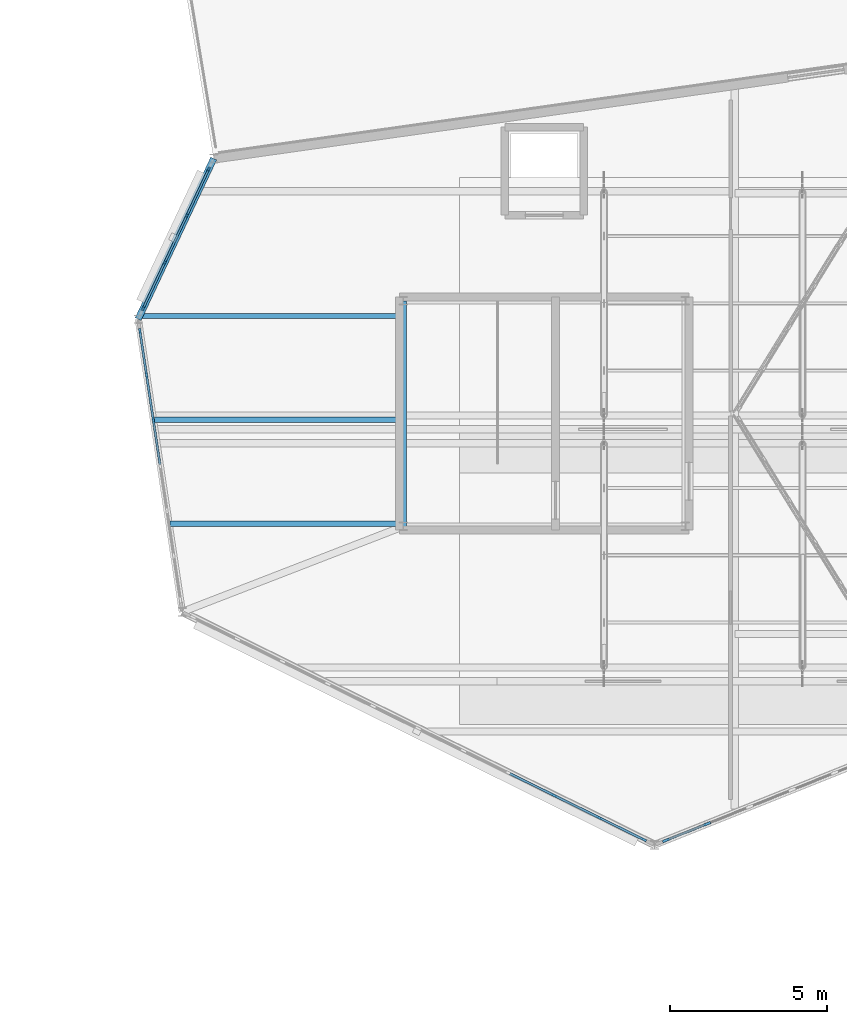
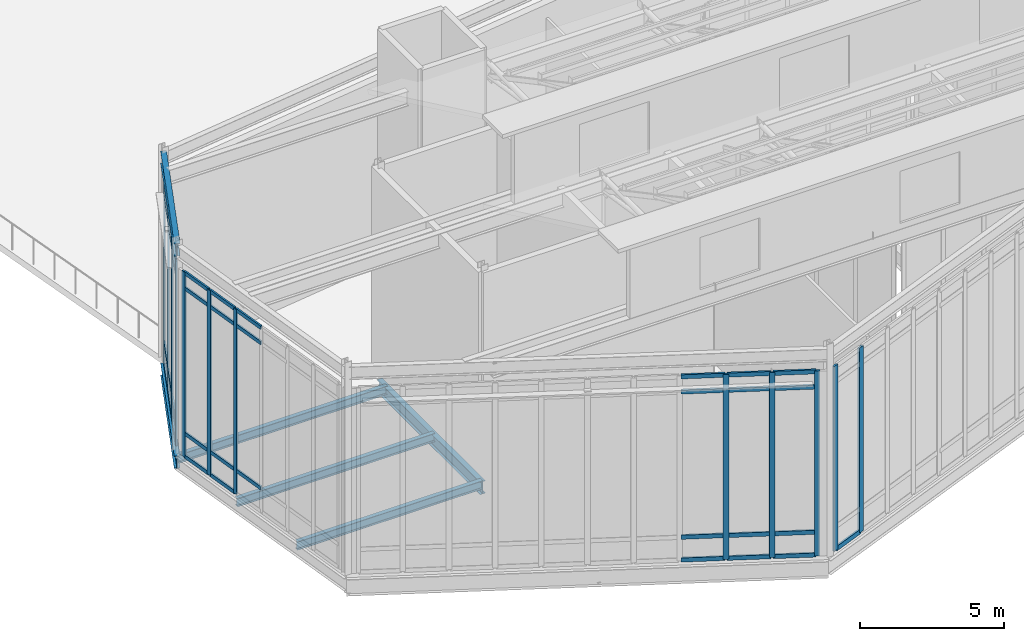
# One storey, part 10 of 66: 48 members, 6 beams, 4 elements without a shape of their own.
"""IFC4 building model written with IfcOpenShell, lengths in metres."""

from ifc_helpers import new_model, si_unit, direction, frame, origin, origin_2d, place, context, subcontext, project, spatial, rectangle, i_section, extrude, material, material_profile, profile_set, type_object, element, aggregate, save


model = new_model("IFC4")

# Units and contexts
model_context = context("Model", 3, precision=1e-05, world=origin(), true_north=direction((0.0, 1.0)))
body_context = subcontext(model_context, "Body", "Model", "MODEL_VIEW")
ifc_project = project(units=[si_unit("LENGTHUNIT", "METRE"), si_unit("AREAUNIT", "SQUARE_METRE"), si_unit("VOLUMEUNIT", "CUBIC_METRE"), si_unit("PLANEANGLEUNIT", "RADIAN"), si_unit("MASSUNIT", "GRAM", prefix="KILO")], contexts=[model_context])

# Site, building, storey
site_placement = place(None, origin())
site = spatial("IfcSite", under=ifc_project, at=site_placement, CompositionType="ELEMENT")
building_placement = place(site_placement, origin())
building = spatial("IfcBuilding", under=site, at=building_placement, Name="Tameran Prism Museum", CompositionType="ELEMENT")
storey_placement = place(building_placement, frame((0.0, 0.0, 19.800048828125)))
storey = spatial("IfcBuildingStorey", under=building, at=storey_placement, Name="L04", CompositionType="ELEMENT", Elevation=19.800048828125)

# Beams
ifc_material_1 = material(Name="Steel Grade 300PLUS (300 MPa)", Category="steel")
ifc_material_profile_1 = material_profile(ifc_material_1, i_section(OverallWidth=0.172119140625, OverallDepth=0.35888671875, WebThickness=0.008056640625, FlangeThickness=0.012939453125, FilletRadius=0.011474609375, at=origin_2d()))
ifc_profile_set_1 = profile_set([ifc_material_profile_1])
beam_type_1 = type_object("IfcBeamType", Name="BM-J360A", PredefinedType="JOIST", material=ifc_profile_set_1)
beam_1_placement = place(storey_placement, frame((50.618896484375, 33.0, -0.379638671875), z_axis=(1.0, 0.0, 0.0), x_axis=(0.0, 1.0, 0.0)))
element("IfcBeam", 1, at=beam_1_placement, inside=storey, type_object=beam_type_1, Name="Floor Beam BM-1230", PredefinedType="JOIST", context=body_context, shape_type="SweptSolid", body=[
    extrude(i_section(OverallWidth=0.172119140625, OverallDepth=0.35888671875, WebThickness=0.008056640625, FlangeThickness=0.012939453125, FilletRadius=0.011474609375, at=origin_2d()), origin(), (0.0, 0.0, 1.0), 7.401123046875),
])
beam_2_placement = place(storey_placement, frame((49.69091796875, 39.60009765625, -0.379638671875), z_axis=(1.0, 0.0, 0.0), x_axis=(0.0, 1.0, 0.0)))
element("IfcBeam", 2, at=beam_2_placement, inside=storey, type_object=beam_type_1, Name="Floor Beam BM-1232", PredefinedType="JOIST", context=body_context, shape_type="SweptSolid", body=[
    extrude(i_section(OverallWidth=0.172119140625, OverallDepth=0.35888671875, WebThickness=0.008056640625, FlangeThickness=0.012939453125, FilletRadius=0.011474609375, at=origin_2d()), origin(), (0.0, 0.0, 1.0), 8.3291015625),
])
ifc_material_2 = material(Name="Steel Grade 300PLUS (300 MPa)", Category="steel")
ifc_material_profile_2 = material_profile(ifc_material_2, i_section(OverallWidth=0.1708984375, OverallDepth=0.35595703125, WebThickness=0.00732421875, FlangeThickness=0.011474609375, FilletRadius=0.011474609375, at=origin_2d()))
ifc_profile_set_2 = profile_set([ifc_material_profile_2])
beam_type_2 = type_object("IfcBeamType", Name="BM-J360B", PredefinedType="JOIST", material=ifc_profile_set_2)
beam_3_placement = place(storey_placement, frame((50.1220703125, 36.300048828125, -0.3779296875), z_axis=(1.0, 0.0, 0.0), x_axis=(0.0, 1.0, 0.0)))
element("IfcBeam", 3, at=beam_3_placement, inside=storey, type_object=beam_type_2, Name="Floor Beam BM-1231", PredefinedType="JOIST", context=body_context, shape_type="SweptSolid", body=[
    extrude(i_section(OverallWidth=0.1708984375, OverallDepth=0.35595703125, WebThickness=0.00732421875, FlangeThickness=0.011474609375, FilletRadius=0.011474609375, at=origin_2d()), origin(), (0.0, 0.0, 1.0), 7.89794921875),
])
ifc_material_3 = material(Name="Steel Grade 300PLUS (300 MPa)", Category="steel")
ifc_material_profile_3 = material_profile(ifc_material_3, i_section(OverallWidth=0.208984375, OverallDepth=0.528076171875, WebThickness=0.009521484375, FlangeThickness=0.01318359375, FilletRadius=0.013916015625, at=origin_2d()))
ifc_profile_set_3 = profile_set([ifc_material_profile_3])
beam_type_3 = type_object("IfcBeamType", Name="BM-SP530B", PredefinedType="SPANDREL", material=ifc_profile_set_3)
for number, where, z_axis, x_axis, name in (
    (4, (52.0, 44.60009765625, -0.464111328125), (-0.425776176805, -0.904828518154, 0.0), (0.904828518154, -0.425776176805, 0.0), "Perimeter Spandrel SP-1160"),
    (5, (52.0, 44.60009765625, 8.505859375), (-0.425776176805, -0.904828518154, 0.0), (0.904828518154, -0.425776176805, 0.0), "Roof Ring Beam RB-1166"),
):
    element("IfcBeam", number, at=place(storey_placement, frame(where, z_axis=z_axis, x_axis=x_axis)), inside=storey, type_object=beam_type_3, Name=name, PredefinedType="SPANDREL", context=body_context, shape_type="SweptSolid", body=[
        extrude(i_section(OverallWidth=0.208984375, OverallDepth=0.528076171875, WebThickness=0.009521484375, FlangeThickness=0.01318359375, FilletRadius=0.013916015625, at=origin_2d()), origin(), (0.0, 0.0, 1.0), 5.636474609375),
    ])
beam_4_placement = place(storey_placement, frame((58.02001953125, 40.080078125, -0.504150390625), z_axis=(0.0, -1.0, 0.0), x_axis=(1.0, 0.0, 0.0)))
element("IfcBeam", 6, at=beam_4_placement, inside=storey, type_object=beam_type_3, Name="Core Ring Beam CTB-1192", PredefinedType="SPANDREL", context=body_context, shape_type="SweptSolid", body=[
    extrude(i_section(OverallWidth=0.208984375, OverallDepth=0.528076171875, WebThickness=0.009521484375, FlangeThickness=0.01318359375, FilletRadius=0.013916015625, at=origin_2d()), origin(), (0.0, 0.0, 1.0), 7.16015625),
])

# Curtain wall, members
ifc_material_4 = material(Name="Anodised Aluminium 6063-T6 and Cyclone Solar Glass", Category="aluminium")
curtain_wall_type_1 = type_object("IfcCurtainWallType", Name="CW-FAC-494x782", PredefinedType="USERDEFINED", material=ifc_material_4)
curtain_wall_1_placement = place(storey_placement, origin())
curtain_wall_1 = element("IfcCurtainWall", 7, at=curtain_wall_1_placement, inside=storey, type_object=curtain_wall_type_1, Name="Unitised Curtain Wall CW-159", ObjectType="UNITISED CURTAIN WALL", PredefinedType="USERDEFINED")
ifc_material_5 = material(Name="Anodised Aluminium Alloy 6063-T6", Category="aluminium")
ifc_material_profile_4 = material_profile(ifc_material_5, rectangle(XDim=0.06494140625, YDim=0.159912109375, at=origin_2d()))
ifc_profile_set_4 = profile_set([ifc_material_profile_4])
member_type_1 = type_object("IfcMemberType", Name="CW-MUL-A", PredefinedType="MULLION", material=ifc_profile_set_4)
member_1_placement = place(storey_placement, frame((49.762939453125, 39.846435546875, 0.0), z_axis=(0.0, 0.0, 1.0), x_axis=(-0.904791151918, 0.425855575765, 0.0)))
member_1 = element("IfcMember", 8, at=member_1_placement, type_object=member_type_1, Name="CW-159 mullion 1", PredefinedType="MULLION", context=body_context, shape_type="SweptSolid", body=[
    extrude(rectangle(XDim=0.06494140625, YDim=0.159912109375, at=origin_2d()), origin(), (0.0, 0.0, 1.0), 7.820068359375),
])
member_2_placement = place(storey_placement, frame((50.44970703125, 41.3056640625, 0.0), z_axis=(0.0, 0.0, 1.0), x_axis=(-0.904791151918, 0.425855575765, 0.0)))
member_2 = element("IfcMember", 9, at=member_2_placement, type_object=member_type_1, Name="CW-159 mullion 2", PredefinedType="MULLION", context=body_context, shape_type="SweptSolid", body=[
    extrude(rectangle(XDim=0.06494140625, YDim=0.159912109375, at=origin_2d()), origin(), (0.0, 0.0, 1.0), 7.820068359375),
])
member_3_placement = place(storey_placement, frame((51.150390625, 42.79443359375, 0.0), z_axis=(0.0, 0.0, 1.0), x_axis=(-0.904791151918, 0.425855575765, 0.0)))
member_3 = element("IfcMember", 10, at=member_3_placement, type_object=member_type_1, Name="CW-159 mullion 3", PredefinedType="MULLION", context=body_context, shape_type="SweptSolid", body=[
    extrude(rectangle(XDim=0.06494140625, YDim=0.159912109375, at=origin_2d()), origin(), (0.0, 0.0, 1.0), 7.820068359375),
])
member_4_placement = place(storey_placement, frame((51.837158203125, 44.253662109375, 0.0), z_axis=(0.0, 0.0, 1.0), x_axis=(-0.904791151918, 0.425855575765, 0.0)))
member_4 = element("IfcMember", 11, at=member_4_placement, type_object=member_type_1, Name="CW-159 mullion 4", PredefinedType="MULLION", context=body_context, shape_type="SweptSolid", body=[
    extrude(rectangle(XDim=0.06494140625, YDim=0.159912109375, at=origin_2d()), origin(), (0.0, 0.0, 1.0), 7.820068359375),
])

ifc_material_6 = material(Name="Anodised Aluminium 6063-T6 and Cyclone Solar Glass", Category="aluminium")
curtain_wall_type_2 = type_object("IfcCurtainWallType", Name="CW-FAC-870x782", PredefinedType="USERDEFINED", material=ifc_material_6)
curtain_wall_2_placement = place(storey_placement, origin())
curtain_wall_2 = element("IfcCurtainWall", 12, at=curtain_wall_2_placement, inside=storey, type_object=curtain_wall_type_2, Name="Unitised Curtain Wall CW-156", ObjectType="UNITISED CURTAIN WALL", PredefinedType="USERDEFINED")
ifc_material_7 = material(Name="Anodised Aluminium Alloy 6063-T6", Category="aluminium")
ifc_material_profile_5 = material_profile(ifc_material_7, rectangle(XDim=0.070068359375, YDim=0.179931640625, at=origin_2d()))
ifc_profile_set_5 = profile_set([ifc_material_profile_5])
member_type_2 = type_object("IfcMemberType", Name="CW-MUL-B", PredefinedType="MULLION", material=ifc_profile_set_5)
member_5_placement = place(storey_placement, frame((50.083984375, 36.28466796875, 0.0), z_axis=(0.0, 0.0, 1.0), x_axis=(-0.988855314933, -0.148879703546, 0.0)))
member_5 = element("IfcMember", 13, at=member_5_placement, type_object=member_type_2, Name="CW-156 mullion 5", PredefinedType="MULLION", context=body_context, shape_type="SweptSolid", body=[
    extrude(rectangle(XDim=0.070068359375, YDim=0.179931640625, at=origin_2d()), origin(), (0.0, 0.0, 1.0), 7.820068359375),
])
member_6_placement = place(storey_placement, frame((49.867919921875, 37.71923828125, 0.0), z_axis=(0.0, 0.0, 1.0), x_axis=(-0.988855314933, -0.148879703546, 0.0)))
member_6 = element("IfcMember", 14, at=member_6_placement, type_object=member_type_2, Name="CW-156 mullion 6", PredefinedType="MULLION", context=body_context, shape_type="SweptSolid", body=[
    extrude(rectangle(XDim=0.070068359375, YDim=0.179931640625, at=origin_2d()), origin(), (0.0, 0.0, 1.0), 7.820068359375),
])
member_7_placement = place(storey_placement, frame((49.6572265625, 39.119384765625, 0.0), z_axis=(0.0, 0.0, 1.0), x_axis=(-0.988855314933, -0.148879703546, 0.0)))
member_7 = element("IfcMember", 15, at=member_7_placement, type_object=member_type_2, Name="CW-156 mullion 7", PredefinedType="MULLION", context=body_context, shape_type="SweptSolid", body=[
    extrude(rectangle(XDim=0.070068359375, YDim=0.179931640625, at=origin_2d()), origin(), (0.0, 0.0, 1.0), 7.820068359375),
])

ifc_material_8 = material(Name="Anodised Aluminium 6063-T6 and Cyclone Solar Glass", Category="aluminium")
curtain_wall_type_3 = type_object("IfcCurtainWallType", Name="CW-FAC-1603x782", PredefinedType="USERDEFINED", material=ifc_material_8)
curtain_wall_3_placement = place(storey_placement, origin())
curtain_wall_3 = element("IfcCurtainWall", 16, at=curtain_wall_3_placement, inside=storey, type_object=curtain_wall_type_3, Name="Unitised Curtain Wall CW-157", ObjectType="UNITISED CURTAIN WALL", PredefinedType="USERDEFINED")
ifc_material_9 = material(Name="Anodised Aluminium Alloy 6063-T6", Category="aluminium")
ifc_material_profile_6 = material_profile(ifc_material_9, rectangle(XDim=0.074951171875, YDim=0.199951171875, at=origin_2d()))
ifc_profile_set_6 = profile_set([ifc_material_profile_6])
member_type_3 = type_object("IfcMemberType", Name="CW-MUL-C", PredefinedType="MULLION", material=ifc_profile_set_6)
member_8_placement = place(storey_placement, frame((65.65234375, 22.9716796875, 0.0), z_axis=(0.0, 0.0, 1.0), x_axis=(-0.44241486846, -0.896810506275, 0.0)))
member_8 = element("IfcMember", 17, at=member_8_placement, type_object=member_type_3, Name="CW-157 mullion 1", PredefinedType="MULLION", context=body_context, shape_type="SweptSolid", body=[
    extrude(rectangle(XDim=0.074951171875, YDim=0.199951171875, at=origin_2d()), origin(), (0.0, 0.0, 1.0), 7.820068359375),
])
member_9_placement = place(storey_placement, frame((64.248779296875, 23.6640625, 0.0), z_axis=(0.0, 0.0, 1.0), x_axis=(-0.44241486846, -0.896810506275, 0.0)))
member_9 = element("IfcMember", 18, at=member_9_placement, type_object=member_type_3, Name="CW-157 mullion 2", PredefinedType="MULLION", context=body_context, shape_type="SweptSolid", body=[
    extrude(rectangle(XDim=0.074951171875, YDim=0.199951171875, at=origin_2d()), origin(), (0.0, 0.0, 1.0), 7.820068359375),
])
member_10_placement = place(storey_placement, frame((62.8115234375, 24.373046875, 0.0), z_axis=(0.0, 0.0, 1.0), x_axis=(-0.44241486846, -0.896810506275, 0.0)))
member_10 = element("IfcMember", 19, at=member_10_placement, type_object=member_type_3, Name="CW-157 mullion 3", PredefinedType="MULLION", context=body_context, shape_type="SweptSolid", body=[
    extrude(rectangle(XDim=0.074951171875, YDim=0.199951171875, at=origin_2d()), origin(), (0.0, 0.0, 1.0), 7.820068359375),
])

ifc_material_10 = material(Name="Anodised Aluminium 6063-T6 and Cyclone Solar Glass", Category="aluminium")
curtain_wall_type_4 = type_object("IfcCurtainWallType", Name="CW-FAC-1163x782", PredefinedType="USERDEFINED", material=ifc_material_10)
curtain_wall_4_placement = place(storey_placement, origin())
curtain_wall_4 = element("IfcCurtainWall", 20, at=curtain_wall_4_placement, inside=storey, type_object=curtain_wall_type_4, Name="Unitised Curtain Wall CW-158", ObjectType="UNITISED CURTAIN WALL", PredefinedType="USERDEFINED")
ifc_material_11 = material(Name="Anodised Aluminium Alloy 6063-T6", Category="aluminium")
ifc_material_profile_7 = material_profile(ifc_material_11, rectangle(XDim=0.080078125, YDim=0.219970703125, at=origin_2d()))
ifc_profile_set_7 = profile_set([ifc_material_profile_7])
member_type_4 = type_object("IfcMemberType", Name="CW-MUL-D", PredefinedType="MULLION", material=ifc_profile_set_7)
member_11_placement = place(storey_placement, frame((67.67431640625, 23.4697265625, 0.0), z_axis=(0.0, 0.0, 1.0), x_axis=(0.371420337114, -0.928464826032, 0.0)))
member_11 = element("IfcMember", 21, at=member_11_placement, type_object=member_type_4, Name="CW-158 mullion 8", PredefinedType="MULLION", context=body_context, shape_type="SweptSolid", body=[
    extrude(rectangle(XDim=0.080078125, YDim=0.219970703125, at=origin_2d()), origin(), (0.0, 0.0, 1.0), 7.820068359375),
])
member_12_placement = place(storey_placement, frame((66.362060546875, 22.94482421875, 0.0), z_axis=(0.0, 0.0, 1.0), x_axis=(0.371420337114, -0.928464826032, 0.0)))
member_12 = element("IfcMember", 22, at=member_12_placement, type_object=member_type_4, Name="CW-158 mullion 9", PredefinedType="MULLION", context=body_context, shape_type="SweptSolid", body=[
    extrude(rectangle(XDim=0.080078125, YDim=0.219970703125, at=origin_2d()), origin(), (0.0, 0.0, 1.0), 7.820068359375),
])

# Member
ifc_material_12 = material(Name="Anodised Aluminium Alloy 6063-T6", Category="aluminium")
ifc_material_profile_8 = material_profile(ifc_material_12, rectangle(XDim=0.06494140625, YDim=0.139892578125, at=origin_2d()))
ifc_profile_set_8 = profile_set([ifc_material_profile_8])
member_type_5 = type_object("IfcMemberType", Name="CW-TRN-A", PredefinedType="USERDEFINED", material=ifc_profile_set_8)
member_13_placement = place(storey_placement, frame((49.776611328125, 39.875732421875, 0.032470703125), z_axis=(0.42582741723, 0.904804404684, 0.0), x_axis=(-0.904804404684, 0.42582741723, 0.0)))
member_13 = element("IfcMember", 23, at=member_13_placement, type_object=member_type_5, Name="CW-159 transom 1.1", ObjectType="TRANSOM", PredefinedType="USERDEFINED", context=body_context, shape_type="SweptSolid", body=[
    extrude(rectangle(XDim=0.06494140625, YDim=0.139892578125, at=origin_2d()), origin(), (0.0, 0.0, 1.0), 1.548095703125),
])

member_14_placement = place(storey_placement, frame((49.776611328125, 39.875732421875, 1.0), z_axis=(0.42582741723, 0.904804404684, 0.0), x_axis=(-0.904804404684, 0.42582741723, 0.0)))
member_14 = element("IfcMember", 24, at=member_14_placement, type_object=member_type_5, Name="CW-159 transom 1.2", ObjectType="TRANSOM", PredefinedType="USERDEFINED", context=body_context, shape_type="SweptSolid", body=[
    extrude(rectangle(XDim=0.06494140625, YDim=0.139892578125, at=origin_2d()), origin(), (0.0, 0.0, 1.0), 1.548095703125),
])

member_15_placement = place(storey_placement, frame((49.776611328125, 39.875732421875, 7.139892578125), z_axis=(0.42582741723, 0.904804404684, 0.0), x_axis=(-0.904804404684, 0.42582741723, 0.0)))
member_15 = element("IfcMember", 25, at=member_15_placement, type_object=member_type_5, Name="CW-159 transom 1.3", ObjectType="TRANSOM", PredefinedType="USERDEFINED", context=body_context, shape_type="SweptSolid", body=[
    extrude(rectangle(XDim=0.06494140625, YDim=0.139892578125, at=origin_2d()), origin(), (0.0, 0.0, 1.0), 1.548095703125),
])

member_16_placement = place(storey_placement, frame((49.776611328125, 39.875732421875, 7.787353515625), z_axis=(0.42582741723, 0.904804404684, 0.0), x_axis=(-0.904804404684, 0.42582741723, 0.0)))
member_16 = element("IfcMember", 26, at=member_16_placement, type_object=member_type_5, Name="CW-159 transom 1.4", ObjectType="TRANSOM", PredefinedType="USERDEFINED", context=body_context, shape_type="SweptSolid", body=[
    extrude(rectangle(XDim=0.06494140625, YDim=0.139892578125, at=origin_2d()), origin(), (0.0, 0.0, 1.0), 1.548095703125),
])

member_17_placement = place(storey_placement, frame((50.463623046875, 41.3349609375, 0.032470703125), z_axis=(0.425767276487, 0.904832706235, 0.0), x_axis=(-0.904832706235, 0.425767276487, 0.0)))
member_17 = element("IfcMember", 27, at=member_17_placement, type_object=member_type_5, Name="CW-159 transom 2.1", ObjectType="TRANSOM", PredefinedType="USERDEFINED", context=body_context, shape_type="SweptSolid", body=[
    extrude(rectangle(XDim=0.06494140625, YDim=0.139892578125, at=origin_2d()), origin(), (0.0, 0.0, 1.0), 1.580322265625),
])

member_18_placement = place(storey_placement, frame((50.463623046875, 41.3349609375, 1.0), z_axis=(0.425767276487, 0.904832706235, 0.0), x_axis=(-0.904832706235, 0.425767276487, 0.0)))
member_18 = element("IfcMember", 28, at=member_18_placement, type_object=member_type_5, Name="CW-159 transom 2.2", ObjectType="TRANSOM", PredefinedType="USERDEFINED", context=body_context, shape_type="SweptSolid", body=[
    extrude(rectangle(XDim=0.06494140625, YDim=0.139892578125, at=origin_2d()), origin(), (0.0, 0.0, 1.0), 1.580322265625),
])

member_19_placement = place(storey_placement, frame((50.463623046875, 41.3349609375, 7.139892578125), z_axis=(0.425767276487, 0.904832706235, 0.0), x_axis=(-0.904832706235, 0.425767276487, 0.0)))
member_19 = element("IfcMember", 29, at=member_19_placement, type_object=member_type_5, Name="CW-159 transom 2.3", ObjectType="TRANSOM", PredefinedType="USERDEFINED", context=body_context, shape_type="SweptSolid", body=[
    extrude(rectangle(XDim=0.06494140625, YDim=0.139892578125, at=origin_2d()), origin(), (0.0, 0.0, 1.0), 1.580322265625),
])

member_20_placement = place(storey_placement, frame((50.463623046875, 41.3349609375, 7.787353515625), z_axis=(0.425767276487, 0.904832706235, 0.0), x_axis=(-0.904832706235, 0.425767276487, 0.0)))
member_20 = element("IfcMember", 30, at=member_20_placement, type_object=member_type_5, Name="CW-159 transom 2.4", ObjectType="TRANSOM", PredefinedType="USERDEFINED", context=body_context, shape_type="SweptSolid", body=[
    extrude(rectangle(XDim=0.06494140625, YDim=0.139892578125, at=origin_2d()), origin(), (0.0, 0.0, 1.0), 1.580322265625),
])

member_21_placement = place(storey_placement, frame((51.1640625, 42.82373046875, 0.032470703125), z_axis=(0.425888190596, 0.904775800467, 0.0), x_axis=(-0.904775800467, 0.425888190596, 0.0)))
member_21 = element("IfcMember", 31, at=member_21_placement, type_object=member_type_5, Name="CW-159 transom 3.1", ObjectType="TRANSOM", PredefinedType="USERDEFINED", context=body_context, shape_type="SweptSolid", body=[
    extrude(rectangle(XDim=0.06494140625, YDim=0.139892578125, at=origin_2d()), origin(), (0.0, 0.0, 1.0), 1.5478515625),
])

member_22_placement = place(storey_placement, frame((51.1640625, 42.82373046875, 1.0), z_axis=(0.425888190596, 0.904775800467, 0.0), x_axis=(-0.904775800467, 0.425888190596, 0.0)))
member_22 = element("IfcMember", 32, at=member_22_placement, type_object=member_type_5, Name="CW-159 transom 3.2", ObjectType="TRANSOM", PredefinedType="USERDEFINED", context=body_context, shape_type="SweptSolid", body=[
    extrude(rectangle(XDim=0.06494140625, YDim=0.139892578125, at=origin_2d()), origin(), (0.0, 0.0, 1.0), 1.5478515625),
])

member_23_placement = place(storey_placement, frame((51.1640625, 42.82373046875, 7.139892578125), z_axis=(0.425888190596, 0.904775800467, 0.0), x_axis=(-0.904775800467, 0.425888190596, 0.0)))
member_23 = element("IfcMember", 33, at=member_23_placement, type_object=member_type_5, Name="CW-159 transom 3.3", ObjectType="TRANSOM", PredefinedType="USERDEFINED", context=body_context, shape_type="SweptSolid", body=[
    extrude(rectangle(XDim=0.06494140625, YDim=0.139892578125, at=origin_2d()), origin(), (0.0, 0.0, 1.0), 1.5478515625),
])

member_24_placement = place(storey_placement, frame((51.1640625, 42.82373046875, 7.787353515625), z_axis=(0.425888190596, 0.904775800467, 0.0), x_axis=(-0.904775800467, 0.425888190596, 0.0)))
member_24 = element("IfcMember", 34, at=member_24_placement, type_object=member_type_5, Name="CW-159 transom 3.4", ObjectType="TRANSOM", PredefinedType="USERDEFINED", context=body_context, shape_type="SweptSolid", body=[
    extrude(rectangle(XDim=0.06494140625, YDim=0.139892578125, at=origin_2d()), origin(), (0.0, 0.0, 1.0), 1.5478515625),
])

aggregate(curtain_wall_1, [member_1, member_2, member_3, member_4, member_13, member_14, member_15, member_16, member_17, member_18, member_19, member_20, member_21, member_22, member_23, member_24])

ifc_material_13 = material(Name="Anodised Aluminium Alloy 6063-T6", Category="aluminium")
ifc_material_profile_9 = material_profile(ifc_material_13, rectangle(XDim=0.070068359375, YDim=0.155029296875, at=origin_2d()))
ifc_profile_set_9 = profile_set([ifc_material_profile_9])
member_type_6 = type_object("IfcMemberType", Name="CW-TRN-B", PredefinedType="USERDEFINED", material=ifc_profile_set_9)
member_25_placement = place(storey_placement, frame((50.294677734375, 34.884521484375, 1.0), z_axis=(-0.148867813763, 0.988857104958, 0.0), x_axis=(-0.988857104958, -0.148867813763, 0.0)))
member_25 = element("IfcMember", 35, at=member_25_placement, type_object=member_type_6, Name="CW-156 transom 4.2", ObjectType="TRANSOM", PredefinedType="USERDEFINED", context=body_context, shape_type="SweptSolid", body=[
    extrude(rectangle(XDim=0.070068359375, YDim=0.155029296875, at=origin_2d()), origin(), (0.0, 0.0, 1.0), 1.380859375),
])

member_26_placement = place(storey_placement, frame((50.294677734375, 34.884521484375, 7.139892578125), z_axis=(-0.148867813763, 0.988857104958, 0.0), x_axis=(-0.988857104958, -0.148867813763, 0.0)))
member_26 = element("IfcMember", 36, at=member_26_placement, type_object=member_type_6, Name="CW-156 transom 4.3", ObjectType="TRANSOM", PredefinedType="USERDEFINED", context=body_context, shape_type="SweptSolid", body=[
    extrude(rectangle(XDim=0.070068359375, YDim=0.155029296875, at=origin_2d()), origin(), (0.0, 0.0, 1.0), 1.380859375),
])

member_27_placement = place(storey_placement, frame((50.294677734375, 34.884521484375, 7.784912109375), z_axis=(-0.148867813763, 0.988857104958, 0.0), x_axis=(-0.988857104958, -0.148867813763, 0.0)))
member_27 = element("IfcMember", 37, at=member_27_placement, type_object=member_type_6, Name="CW-156 transom 4.4", ObjectType="TRANSOM", PredefinedType="USERDEFINED", context=body_context, shape_type="SweptSolid", body=[
    extrude(rectangle(XDim=0.070068359375, YDim=0.155029296875, at=origin_2d()), origin(), (0.0, 0.0, 1.0), 1.380859375),
])

member_28_placement = place(storey_placement, frame((50.078857421875, 36.3193359375, 0.034912109375), z_axis=(-0.148867813763, 0.988857104958, 0.0), x_axis=(-0.988857104958, -0.148867813763, 0.0)))
member_28 = element("IfcMember", 38, at=member_28_placement, type_object=member_type_6, Name="CW-156 transom 5.1", ObjectType="TRANSOM", PredefinedType="USERDEFINED", context=body_context, shape_type="SweptSolid", body=[
    extrude(rectangle(XDim=0.070068359375, YDim=0.155029296875, at=origin_2d()), origin(), (0.0, 0.0, 1.0), 1.380859375),
])

member_29_placement = place(storey_placement, frame((50.078857421875, 36.3193359375, 1.0), z_axis=(-0.148867813763, 0.988857104958, 0.0), x_axis=(-0.988857104958, -0.148867813763, 0.0)))
member_29 = element("IfcMember", 39, at=member_29_placement, type_object=member_type_6, Name="CW-156 transom 5.2", ObjectType="TRANSOM", PredefinedType="USERDEFINED", context=body_context, shape_type="SweptSolid", body=[
    extrude(rectangle(XDim=0.070068359375, YDim=0.155029296875, at=origin_2d()), origin(), (0.0, 0.0, 1.0), 1.380859375),
])

member_30_placement = place(storey_placement, frame((50.078857421875, 36.3193359375, 7.139892578125), z_axis=(-0.148867813763, 0.988857104958, 0.0), x_axis=(-0.988857104958, -0.148867813763, 0.0)))
member_30 = element("IfcMember", 40, at=member_30_placement, type_object=member_type_6, Name="CW-156 transom 5.3", ObjectType="TRANSOM", PredefinedType="USERDEFINED", context=body_context, shape_type="SweptSolid", body=[
    extrude(rectangle(XDim=0.070068359375, YDim=0.155029296875, at=origin_2d()), origin(), (0.0, 0.0, 1.0), 1.380859375),
])

member_31_placement = place(storey_placement, frame((50.078857421875, 36.3193359375, 7.784912109375), z_axis=(-0.148867813763, 0.988857104958, 0.0), x_axis=(-0.988857104958, -0.148867813763, 0.0)))
member_31 = element("IfcMember", 41, at=member_31_placement, type_object=member_type_6, Name="CW-156 transom 5.4", ObjectType="TRANSOM", PredefinedType="USERDEFINED", context=body_context, shape_type="SweptSolid", body=[
    extrude(rectangle(XDim=0.070068359375, YDim=0.155029296875, at=origin_2d()), origin(), (0.0, 0.0, 1.0), 1.380859375),
])

member_32_placement = place(storey_placement, frame((49.86279296875, 37.75390625, 0.034912109375), z_axis=(-0.148934765401, 0.988847023384, 0.0), x_axis=(-0.988847023384, -0.148934765401, 0.0)))
member_32 = element("IfcMember", 42, at=member_32_placement, type_object=member_type_6, Name="CW-156 transom 6.1", ObjectType="TRANSOM", PredefinedType="USERDEFINED", context=body_context, shape_type="SweptSolid", body=[
    extrude(rectangle(XDim=0.070068359375, YDim=0.155029296875, at=origin_2d()), origin(), (0.0, 0.0, 1.0), 1.345703125),
])

member_33_placement = place(storey_placement, frame((49.86279296875, 37.75390625, 1.0), z_axis=(-0.148934765401, 0.988847023384, 0.0), x_axis=(-0.988847023384, -0.148934765401, 0.0)))
member_33 = element("IfcMember", 43, at=member_33_placement, type_object=member_type_6, Name="CW-156 transom 6.2", ObjectType="TRANSOM", PredefinedType="USERDEFINED", context=body_context, shape_type="SweptSolid", body=[
    extrude(rectangle(XDim=0.070068359375, YDim=0.155029296875, at=origin_2d()), origin(), (0.0, 0.0, 1.0), 1.345703125),
])

member_34_placement = place(storey_placement, frame((49.86279296875, 37.75390625, 7.139892578125), z_axis=(-0.148934765401, 0.988847023384, 0.0), x_axis=(-0.988847023384, -0.148934765401, 0.0)))
member_34 = element("IfcMember", 44, at=member_34_placement, type_object=member_type_6, Name="CW-156 transom 6.3", ObjectType="TRANSOM", PredefinedType="USERDEFINED", context=body_context, shape_type="SweptSolid", body=[
    extrude(rectangle(XDim=0.070068359375, YDim=0.155029296875, at=origin_2d()), origin(), (0.0, 0.0, 1.0), 1.345703125),
])

member_35_placement = place(storey_placement, frame((49.86279296875, 37.75390625, 7.784912109375), z_axis=(-0.148934765401, 0.988847023384, 0.0), x_axis=(-0.988847023384, -0.148934765401, 0.0)))
member_35 = element("IfcMember", 45, at=member_35_placement, type_object=member_type_6, Name="CW-156 transom 6.4", ObjectType="TRANSOM", PredefinedType="USERDEFINED", context=body_context, shape_type="SweptSolid", body=[
    extrude(rectangle(XDim=0.070068359375, YDim=0.155029296875, at=origin_2d()), origin(), (0.0, 0.0, 1.0), 1.345703125),
])

aggregate(curtain_wall_2, [member_5, member_6, member_7, member_25, member_26, member_27, member_28, member_29, member_30, member_31, member_32, member_33, member_34, member_35])

ifc_material_14 = material(Name="Anodised Aluminium Alloy 6063-T6", Category="aluminium")
ifc_material_profile_10 = material_profile(ifc_material_14, rectangle(XDim=0.074951171875, YDim=0.175048828125, at=origin_2d()))
ifc_profile_set_10 = profile_set([ifc_material_profile_10])
member_type_7 = type_object("IfcMemberType", Name="CW-TRN-C", PredefinedType="USERDEFINED", material=ifc_profile_set_10)
member_36_placement = place(storey_placement, frame((65.61865234375, 22.98828125, 0.037353515625), z_axis=(-0.896806751634, 0.442422479337, 0.0), x_axis=(-0.442422479337, -0.896806751634, 0.0)))
member_36 = element("IfcMember", 46, at=member_36_placement, type_object=member_type_7, Name="CW-157 transom 1.1", ObjectType="TRANSOM", PredefinedType="USERDEFINED", context=body_context, shape_type="SweptSolid", body=[
    extrude(rectangle(XDim=0.074951171875, YDim=0.175048828125, at=origin_2d()), origin(), (0.0, 0.0, 1.0), 1.489990234375),
])

member_37_placement = place(storey_placement, frame((65.61865234375, 22.98828125, 1.0), z_axis=(-0.896806751634, 0.442422479337, 0.0), x_axis=(-0.442422479337, -0.896806751634, 0.0)))
member_37 = element("IfcMember", 47, at=member_37_placement, type_object=member_type_7, Name="CW-157 transom 1.2", ObjectType="TRANSOM", PredefinedType="USERDEFINED", context=body_context, shape_type="SweptSolid", body=[
    extrude(rectangle(XDim=0.074951171875, YDim=0.175048828125, at=origin_2d()), origin(), (0.0, 0.0, 1.0), 1.489990234375),
])

member_38_placement = place(storey_placement, frame((65.61865234375, 22.98828125, 7.139892578125), z_axis=(-0.896806751634, 0.442422479337, 0.0), x_axis=(-0.442422479337, -0.896806751634, 0.0)))
member_38 = element("IfcMember", 48, at=member_38_placement, type_object=member_type_7, Name="CW-157 transom 1.3", ObjectType="TRANSOM", PredefinedType="USERDEFINED", context=body_context, shape_type="SweptSolid", body=[
    extrude(rectangle(XDim=0.074951171875, YDim=0.175048828125, at=origin_2d()), origin(), (0.0, 0.0, 1.0), 1.489990234375),
])

member_39_placement = place(storey_placement, frame((65.61865234375, 22.98828125, 7.782470703125), z_axis=(-0.896806751634, 0.442422479337, 0.0), x_axis=(-0.442422479337, -0.896806751634, 0.0)))
member_39 = element("IfcMember", 49, at=member_39_placement, type_object=member_type_7, Name="CW-157 transom 1.4", ObjectType="TRANSOM", PredefinedType="USERDEFINED", context=body_context, shape_type="SweptSolid", body=[
    extrude(rectangle(XDim=0.074951171875, YDim=0.175048828125, at=origin_2d()), origin(), (0.0, 0.0, 1.0), 1.489990234375),
])

member_40_placement = place(storey_placement, frame((64.215087890625, 23.6806640625, 0.037353515625), z_axis=(-0.896811803515, 0.44241223884, 0.0), x_axis=(-0.44241223884, -0.896811803515, 0.0)))
member_40 = element("IfcMember", 50, at=member_40_placement, type_object=member_type_7, Name="CW-157 transom 2.1", ObjectType="TRANSOM", PredefinedType="USERDEFINED", context=body_context, shape_type="SweptSolid", body=[
    extrude(rectangle(XDim=0.074951171875, YDim=0.175048828125, at=origin_2d()), origin(), (0.0, 0.0, 1.0), 1.527587890625),
])

member_41_placement = place(storey_placement, frame((64.215087890625, 23.6806640625, 1.0), z_axis=(-0.896811803515, 0.44241223884, 0.0), x_axis=(-0.44241223884, -0.896811803515, 0.0)))
member_41 = element("IfcMember", 51, at=member_41_placement, type_object=member_type_7, Name="CW-157 transom 2.2", ObjectType="TRANSOM", PredefinedType="USERDEFINED", context=body_context, shape_type="SweptSolid", body=[
    extrude(rectangle(XDim=0.074951171875, YDim=0.175048828125, at=origin_2d()), origin(), (0.0, 0.0, 1.0), 1.527587890625),
])

member_42_placement = place(storey_placement, frame((64.215087890625, 23.6806640625, 7.139892578125), z_axis=(-0.896811803515, 0.44241223884, 0.0), x_axis=(-0.44241223884, -0.896811803515, 0.0)))
member_42 = element("IfcMember", 52, at=member_42_placement, type_object=member_type_7, Name="CW-157 transom 2.3", ObjectType="TRANSOM", PredefinedType="USERDEFINED", context=body_context, shape_type="SweptSolid", body=[
    extrude(rectangle(XDim=0.074951171875, YDim=0.175048828125, at=origin_2d()), origin(), (0.0, 0.0, 1.0), 1.527587890625),
])

member_43_placement = place(storey_placement, frame((64.215087890625, 23.6806640625, 7.782470703125), z_axis=(-0.896811803515, 0.44241223884, 0.0), x_axis=(-0.44241223884, -0.896811803515, 0.0)))
member_43 = element("IfcMember", 53, at=member_43_placement, type_object=member_type_7, Name="CW-157 transom 2.4", ObjectType="TRANSOM", PredefinedType="USERDEFINED", context=body_context, shape_type="SweptSolid", body=[
    extrude(rectangle(XDim=0.074951171875, YDim=0.175048828125, at=origin_2d()), origin(), (0.0, 0.0, 1.0), 1.527587890625),
])

member_44_placement = place(storey_placement, frame((62.778076171875, 24.3896484375, 0.037353515625), z_axis=(-0.896843080289, 0.442348832188, 0.0), x_axis=(-0.442348832188, -0.896843080289, 0.0)))
member_44 = element("IfcMember", 54, at=member_44_placement, type_object=member_type_7, Name="CW-157 transom 3.1", ObjectType="TRANSOM", PredefinedType="USERDEFINED", context=body_context, shape_type="SweptSolid", body=[
    extrude(rectangle(XDim=0.074951171875, YDim=0.175048828125, at=origin_2d()), origin(), (0.0, 0.0, 1.0), 1.52783203125),
])

member_45_placement = place(storey_placement, frame((62.778076171875, 24.3896484375, 1.0), z_axis=(-0.896843080289, 0.442348832188, 0.0), x_axis=(-0.442348832188, -0.896843080289, 0.0)))
member_45 = element("IfcMember", 55, at=member_45_placement, type_object=member_type_7, Name="CW-157 transom 3.2", ObjectType="TRANSOM", PredefinedType="USERDEFINED", context=body_context, shape_type="SweptSolid", body=[
    extrude(rectangle(XDim=0.074951171875, YDim=0.175048828125, at=origin_2d()), origin(), (0.0, 0.0, 1.0), 1.52783203125),
])

member_46_placement = place(storey_placement, frame((62.778076171875, 24.3896484375, 7.139892578125), z_axis=(-0.896843080289, 0.442348832188, 0.0), x_axis=(-0.442348832188, -0.896843080289, 0.0)))
member_46 = element("IfcMember", 56, at=member_46_placement, type_object=member_type_7, Name="CW-157 transom 3.3", ObjectType="TRANSOM", PredefinedType="USERDEFINED", context=body_context, shape_type="SweptSolid", body=[
    extrude(rectangle(XDim=0.074951171875, YDim=0.175048828125, at=origin_2d()), origin(), (0.0, 0.0, 1.0), 1.52783203125),
])

member_47_placement = place(storey_placement, frame((62.778076171875, 24.3896484375, 7.782470703125), z_axis=(-0.896843080289, 0.442348832188, 0.0), x_axis=(-0.442348832188, -0.896843080289, 0.0)))
member_47 = element("IfcMember", 57, at=member_47_placement, type_object=member_type_7, Name="CW-157 transom 3.4", ObjectType="TRANSOM", PredefinedType="USERDEFINED", context=body_context, shape_type="SweptSolid", body=[
    extrude(rectangle(XDim=0.074951171875, YDim=0.175048828125, at=origin_2d()), origin(), (0.0, 0.0, 1.0), 1.52783203125),
])

aggregate(curtain_wall_3, [member_8, member_9, member_10, member_36, member_37, member_38, member_39, member_40, member_41, member_42, member_43, member_44, member_45, member_46, member_47])

ifc_material_15 = material(Name="Anodised Aluminium Alloy 6063-T6", Category="aluminium")
ifc_material_profile_11 = material_profile(ifc_material_15, rectangle(XDim=0.080078125, YDim=0.195068359375, at=origin_2d()))
ifc_profile_set_11 = profile_set([ifc_material_profile_11])
member_type_8 = type_object("IfcMemberType", Name="CW-TRN-D", PredefinedType="USERDEFINED", material=ifc_profile_set_11)
member_48_placement = place(storey_placement, frame((67.63720703125, 23.454833984375, 0.0400390625), z_axis=(-0.928501943961, -0.371327537439, 0.0), x_axis=(0.371327537439, -0.928501943961, 0.0)))
member_48 = element("IfcMember", 58, at=member_48_placement, type_object=member_type_8, Name="CW-158 transom 8.1", ObjectType="TRANSOM", PredefinedType="USERDEFINED", context=body_context, shape_type="SweptSolid", body=[
    extrude(rectangle(XDim=0.080078125, YDim=0.195068359375, at=origin_2d()), origin(), (0.0, 0.0, 1.0), 1.333251953125),
])

aggregate(curtain_wall_4, [member_11, member_12, member_48])

save(model, "model.ifc")
